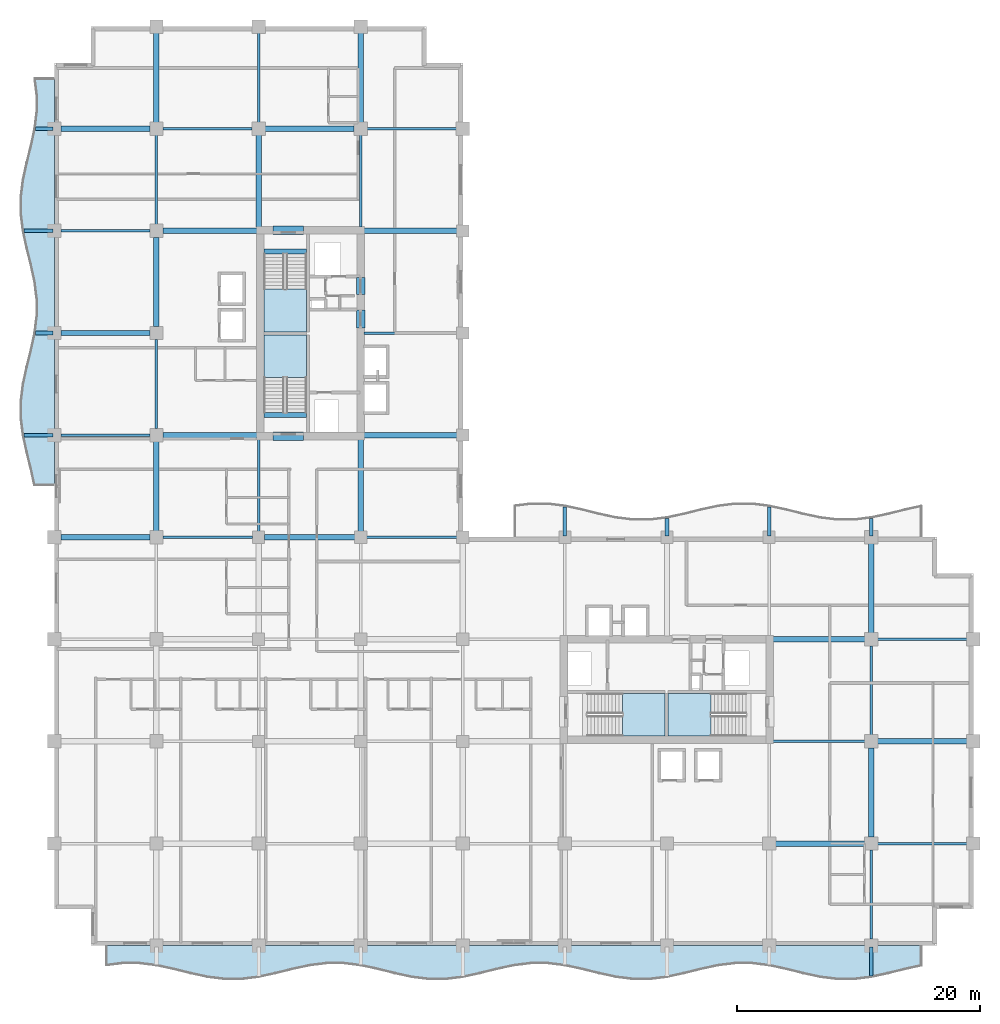
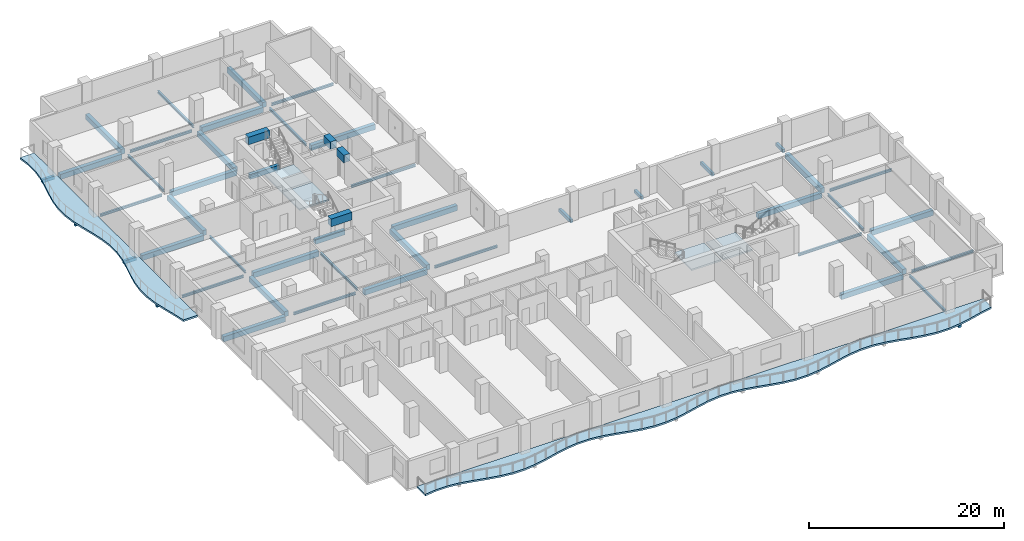
# One storey, part 2 of 15: 52 beams, 6 slabs, 4 elements without a shape of their own.
"""IFC4 building model written with IfcOpenShell, lengths in metres."""

from ifc_helpers import new_model, si_unit, direction, frame, origin, origin_2d, place, context, subcontext, project, spatial, polyline, rectangle, i_section, outline, extrude, material, layer, layer_set, material_profile, profile_set, type_object, element, aggregate, save


model = new_model("IFC4")

# Units and contexts
model_context = context("Model", 3, precision=1e-05, world=origin(), true_north=direction((0.0, 1.0)))
body_context = subcontext(model_context, "Body", "Model", "MODEL_VIEW")
ifc_project = project(units=[si_unit("LENGTHUNIT", "METRE"), si_unit("AREAUNIT", "SQUARE_METRE"), si_unit("VOLUMEUNIT", "CUBIC_METRE"), si_unit("PLANEANGLEUNIT", "RADIAN"), si_unit("MASSUNIT", "GRAM", prefix="KILO")], contexts=[model_context])

# Site, building, storey
site_placement = place(None, origin())
site = spatial("IfcSite", under=ifc_project, at=site_placement, CompositionType="ELEMENT")
building_placement = place(site_placement, origin())
building = spatial("IfcBuilding", under=site, at=building_placement, Name="Koriwani Terraces Tower", CompositionType="ELEMENT")
storey_placement = place(building_placement, frame((0.0, 0.0, 193.89990234375)))
storey = spatial("IfcBuildingStorey", under=building, at=storey_placement, Name="L47", CompositionType="ELEMENT", Elevation=193.89990234375)

# Beams
ifc_material_1 = material(Name="Concrete C40/50", Category="concrete")
ifc_material_profile_1 = material_profile(ifc_material_1, rectangle(XDim=0.300048828125, YDim=0.39990234375, at=origin_2d()), Name="Concrete C40/50", Category="LoadBearing")
ifc_profile_set_1 = profile_set([ifc_material_profile_1], Name="Concrete C40/50")
beam_type_1 = type_object("IfcBeamType", Name="BEAM_RC_BALCONY_RIB_300X400", PredefinedType="JOIST", material=ifc_profile_set_1)
for number, where, z_axis, x_axis, name in (
    (1, (67.199951171875, -2.502197265625, -0.429931640625), (0.0, 1.0, 0.0), (-1.0, 0.0, 0.0), "L47 Balcony Bracket Rib S-8"),
    (2, (-2.502197265625, 42.0, -0.429931640625), (1.0, 0.0, 0.0), (0.0, 1.0, 0.0), "L47 Balcony Bracket Rib W-1"),
):
    element("IfcBeam", number, at=place(storey_placement, frame(where, z_axis=z_axis, x_axis=x_axis)), inside=storey, type_object=beam_type_1, Name=name, PredefinedType="JOIST", context=body_context, shape_type="SweptSolid", body=[
        extrude(rectangle(XDim=0.300048828125, YDim=0.39990234375, at=origin_2d()), origin(), (0.0, 0.0, 1.0), 2.402099609375),
    ])
beam_1_placement = place(storey_placement, frame((-1.547607421875, 50.39990234375, -0.429931640625), z_axis=(1.0, 0.0, 0.0), x_axis=(0.0, 1.0, 0.0)))
element("IfcBeam", 3, at=beam_1_placement, inside=storey, type_object=beam_type_1, Name="L47 Balcony Bracket Rib W-2", PredefinedType="JOIST", context=body_context, shape_type="SweptSolid", body=[
    extrude(rectangle(XDim=0.300048828125, YDim=0.39990234375, at=origin_2d()), origin(), (0.0, 0.0, 1.0), 1.447509765625),
])
beam_2_placement = place(storey_placement, frame((-2.502197265625, 58.800048828125, -0.429931640625), z_axis=(1.0, 0.0, 0.0), x_axis=(0.0, 1.0, 0.0)))
element("IfcBeam", 4, at=beam_2_placement, inside=storey, type_object=beam_type_1, Name="L47 Balcony Bracket Rib W-3", PredefinedType="JOIST", context=body_context, shape_type="SweptSolid", body=[
    extrude(rectangle(XDim=0.300048828125, YDim=0.39990234375, at=origin_2d()), origin(), (0.0, 0.0, 1.0), 2.402099609375),
])
beam_3_placement = place(storey_placement, frame((-1.547607421875, 67.199951171875, -0.429931640625), z_axis=(1.0, 0.0, 0.0), x_axis=(0.0, 1.0, 0.0)))
element("IfcBeam", 5, at=beam_3_placement, inside=storey, type_object=beam_type_1, Name="L47 Balcony Bracket Rib W-4", PredefinedType="JOIST", context=body_context, shape_type="SweptSolid", body=[
    extrude(rectangle(XDim=0.300048828125, YDim=0.39990234375, at=origin_2d()), origin(), (0.0, 0.0, 1.0), 1.447509765625),
])
beam_4_placement = place(storey_placement, frame((42.0, 33.699951171875, -0.429931640625), z_axis=(0.0, 1.0, 0.0), x_axis=(-1.0, 0.0, 0.0)))
element("IfcBeam", 6, at=beam_4_placement, inside=storey, type_object=beam_type_1, Name="L47 Balcony Bracket Rib NE-1", PredefinedType="JOIST", context=body_context, shape_type="SweptSolid", body=[
    extrude(rectangle(XDim=0.300048828125, YDim=0.39990234375, at=origin_2d()), origin(), (0.0, 0.0, 1.0), 2.40234375),
])
beam_5_placement = place(storey_placement, frame((50.39990234375, 33.699951171875, -0.429931640625), z_axis=(0.0, 1.0, 0.0), x_axis=(-1.0, 0.0, 0.0)))
element("IfcBeam", 7, at=beam_5_placement, inside=storey, type_object=beam_type_1, Name="L47 Balcony Bracket Rib NE-2", PredefinedType="JOIST", context=body_context, shape_type="SweptSolid", body=[
    extrude(rectangle(XDim=0.300048828125, YDim=0.39990234375, at=origin_2d()), origin(), (0.0, 0.0, 1.0), 1.44775390625),
])
beam_6_placement = place(storey_placement, frame((58.800048828125, 33.699951171875, -0.429931640625), z_axis=(0.0, 1.0, 0.0), x_axis=(-1.0, 0.0, 0.0)))
element("IfcBeam", 8, at=beam_6_placement, inside=storey, type_object=beam_type_1, Name="L47 Balcony Bracket Rib NE-3", PredefinedType="JOIST", context=body_context, shape_type="SweptSolid", body=[
    extrude(rectangle(XDim=0.300048828125, YDim=0.39990234375, at=origin_2d()), origin(), (0.0, 0.0, 1.0), 2.40234375),
])
beam_7_placement = place(storey_placement, frame((67.199951171875, 33.699951171875, -0.429931640625), z_axis=(0.0, 1.0, 0.0), x_axis=(-1.0, 0.0, 0.0)))
element("IfcBeam", 9, at=beam_7_placement, inside=storey, type_object=beam_type_1, Name="L47 Balcony Bracket Rib NE-4", PredefinedType="JOIST", context=body_context, shape_type="SweptSolid", body=[
    extrude(rectangle(XDim=0.300048828125, YDim=0.39990234375, at=origin_2d()), origin(), (0.0, 0.0, 1.0), 1.44775390625),
])
ifc_material_2 = material(Name="Concrete C60/75", Category="concrete")
ifc_material_profile_2 = material_profile(ifc_material_2, rectangle(XDim=0.699951171875, YDim=0.949951171875, at=origin_2d()), Name="Concrete C60/75", Category="LoadBearing")
ifc_profile_set_2 = profile_set([ifc_material_profile_2], Name="Concrete C60/75")
beam_type_2 = type_object("IfcBeamType", Name="BEAM_RC_COUPLING_700X950", PredefinedType="LINTEL", material=ifc_profile_set_2)
beam_8_placement = place(storey_placement, frame((25.199951171875, 50.800048828125, 2.9951171875), z_axis=(0.0, 1.0, 0.0), x_axis=(-1.0, 0.0, 0.0)))
element("IfcBeam", 10, at=beam_8_placement, inside=storey, type_object=beam_type_2, Name="L47 Core Coupling Lintel Beam WE1", PredefinedType="LINTEL", context=body_context, shape_type="SweptSolid", body=[
    extrude(rectangle(XDim=0.699951171875, YDim=0.949951171875, at=origin_2d()), origin(), (0.0, 0.0, 1.0), 1.47998046875),
])
beam_9_placement = place(storey_placement, frame((25.199951171875, 53.550048828125, 2.9951171875), z_axis=(0.0, 1.0, 0.0), x_axis=(-1.0, 0.0, 0.0)))
element("IfcBeam", 11, at=beam_9_placement, inside=storey, type_object=beam_type_2, Name="L47 Core Coupling Lintel Beam WE2", PredefinedType="LINTEL", context=body_context, shape_type="SweptSolid", body=[
    extrude(rectangle(XDim=0.699951171875, YDim=0.949951171875, at=origin_2d()), origin(), (0.0, 0.0, 1.0), 1.39990234375),
])
for number, where, z_axis, x_axis, name in (
    (12, (18.0, 41.89990234375, 2.9951171875), (1.0, 0.0, 0.0), (0.0, 1.0, 0.0), "L47 Core Coupling Lintel Beam WS"),
    (13, (18.0, 58.85009765625, 2.9951171875), (1.0, 0.0, 0.0), (0.0, 1.0, 0.0), "L47 Core Coupling Lintel Beam WN"),
):
    element("IfcBeam", number, at=place(storey_placement, frame(where, z_axis=z_axis, x_axis=x_axis)), inside=storey, type_object=beam_type_2, Name=name, PredefinedType="LINTEL", context=body_context, shape_type="SweptSolid", body=[
        extrude(rectangle(XDim=0.699951171875, YDim=0.949951171875, at=origin_2d()), origin(), (0.0, 0.0, 1.0), 2.5),
    ])
ifc_material_profile_3 = material_profile(ifc_material_1, rectangle(XDim=0.39990234375, YDim=0.60009765625, at=origin_2d()), Name="Concrete C40/50", Category="LoadBearing")
ifc_profile_set_3 = profile_set([ifc_material_profile_3], Name="Concrete C40/50")
beam_type_3 = type_object("IfcBeamType", Name="BEAM_RC_GRID_400X600", PredefinedType="BEAM", material=ifc_profile_set_3)
for number, where, z_axis, x_axis, name in (
    (14, (17.25, 43.655029296875, -0.2998046875), (1.0, 0.0, 0.0), (0.0, 1.0, 0.0), "L47 Stairwell Header Trimmer Beam ST-W1"),
    (15, (17.25, 57.094970703125, -0.2998046875), (1.0, 0.0, 0.0), (0.0, 1.0, 0.0), "L47 Stairwell Header Trimmer Beam ST-W2"),
):
    element("IfcBeam", number, at=place(storey_placement, frame(where, z_axis=z_axis, x_axis=x_axis)), inside=storey, type_object=beam_type_3, Name=name, PredefinedType="BEAM", context=body_context, shape_type="SweptSolid", body=[
        extrude(rectangle(XDim=0.39990234375, YDim=0.60009765625, at=origin_2d()), origin(), (0.0, 0.0, 1.0), 3.5),
    ])
ifc_material_3 = material(Name="Concrete C50/60", Category="concrete")
ifc_material_profile_4 = material_profile(ifc_material_3, rectangle(XDim=0.449951171875, YDim=0.64990234375, at=origin_2d()), Name="Concrete C50/60", Category="LoadBearing")
ifc_profile_set_4 = profile_set([ifc_material_profile_4], Name="Concrete C50/60")
beam_type_4 = type_object("IfcBeamType", Name="BEAM_RC_GRID_450X650", PredefinedType="BEAM", material=ifc_profile_set_4)
beam_10_placement = place(storey_placement, frame((59.330078125, 8.39990234375, -0.554931640625), z_axis=(1.0, 0.0, 0.0), x_axis=(0.0, 1.0, 0.0)))
element("IfcBeam", 16, at=beam_10_placement, inside=storey, type_object=beam_type_4, Name="L47 Grid Beam B (58.8-67.2m)", PredefinedType="BEAM", context=body_context, shape_type="SweptSolid", body=[
    extrude(rectangle(XDim=0.449951171875, YDim=0.64990234375, at=origin_2d()), origin(), (0.0, 0.0, 1.0), 7.33984375),
])
beam_11_placement = place(storey_placement, frame((67.72998046875, 16.800048828125, -0.554931640625), z_axis=(1.0, 0.0, 0.0), x_axis=(0.0, 1.0, 0.0)))
element("IfcBeam", 17, at=beam_11_placement, inside=storey, type_object=beam_type_4, Name="L47 Grid Beam C (67.2-75.6m)", PredefinedType="BEAM", context=body_context, shape_type="SweptSolid", body=[
    extrude(rectangle(XDim=0.449951171875, YDim=0.64990234375, at=origin_2d()), origin(), (0.0, 0.0, 1.0), 7.340087890625),
])
beam_12_placement = place(storey_placement, frame((59.1298828125, 25.199951171875, -0.554931640625), z_axis=(1.0, 0.0, 0.0), x_axis=(0.0, 1.0, 0.0)))
element("IfcBeam", 18, at=beam_12_placement, inside=storey, type_object=beam_type_4, Name="L47 Grid Beam D (58.8-67.2m)", PredefinedType="BEAM", context=body_context, shape_type="SweptSolid", body=[
    extrude(rectangle(XDim=0.449951171875, YDim=0.64990234375, at=origin_2d()), origin(), (0.0, 0.0, 1.0), 7.5400390625),
])
beam_13_placement = place(storey_placement, frame((0.530029296875, 33.60009765625, -0.554931640625), z_axis=(1.0, 0.0, 0.0), x_axis=(0.0, 1.0, 0.0)))
element("IfcBeam", 19, at=beam_13_placement, inside=storey, type_object=beam_type_4, Name="L47 Grid Beam E (0.0-8.4m)", PredefinedType="BEAM", context=body_context, shape_type="SweptSolid", body=[
    extrude(rectangle(XDim=0.449951171875, YDim=0.64990234375, at=origin_2d()), origin(), (0.0, 0.0, 1.0), 7.340087890625),
])
beam_14_placement = place(storey_placement, frame((17.280029296875, 33.60009765625, -0.554931640625), z_axis=(1.0, 0.0, 0.0), x_axis=(0.0, 1.0, 0.0)))
element("IfcBeam", 20, at=beam_14_placement, inside=storey, type_object=beam_type_4, Name="L47 Grid Beam E (16.8-25.2m)", PredefinedType="BEAM", context=body_context, shape_type="SweptSolid", body=[
    extrude(rectangle(XDim=0.449951171875, YDim=0.64990234375, at=origin_2d()), origin(), (0.0, 0.0, 1.0), 7.43994140625),
])
beam_15_placement = place(storey_placement, frame((8.929931640625, 42.0, -0.554931640625), z_axis=(1.0, 0.0, 0.0), x_axis=(0.0, 1.0, 0.0)))
element("IfcBeam", 21, at=beam_15_placement, inside=storey, type_object=beam_type_4, Name="L47 Grid Beam F (8.4-16.8m)", PredefinedType="BEAM", context=body_context, shape_type="SweptSolid", body=[
    extrude(rectangle(XDim=0.449951171875, YDim=0.64990234375, at=origin_2d()), origin(), (0.0, 0.0, 1.0), 7.739990234375),
])
beam_16_placement = place(storey_placement, frame((25.47998046875, 42.0, -0.554931640625), z_axis=(1.0, 0.0, 0.0), x_axis=(0.0, 1.0, 0.0)))
element("IfcBeam", 22, at=beam_16_placement, inside=storey, type_object=beam_type_4, Name="L47 Grid Beam F (25.2-33.6m)", PredefinedType="BEAM", context=body_context, shape_type="SweptSolid", body=[
    extrude(rectangle(XDim=0.449951171875, YDim=0.64990234375, at=origin_2d()), origin(), (0.0, 0.0, 1.0), 7.64013671875),
])
beam_17_placement = place(storey_placement, frame((0.530029296875, 50.39990234375, -0.554931640625), z_axis=(1.0, 0.0, 0.0), x_axis=(0.0, 1.0, 0.0)))
element("IfcBeam", 23, at=beam_17_placement, inside=storey, type_object=beam_type_4, Name="L47 Grid Beam G (0.0-8.4m)", PredefinedType="BEAM", context=body_context, shape_type="SweptSolid", body=[
    extrude(rectangle(XDim=0.449951171875, YDim=0.64990234375, at=origin_2d()), origin(), (0.0, 0.0, 1.0), 7.340087890625),
])
beam_18_placement = place(storey_placement, frame((8.929931640625, 58.800048828125, -0.554931640625), z_axis=(1.0, 0.0, 0.0), x_axis=(0.0, 1.0, 0.0)))
element("IfcBeam", 24, at=beam_18_placement, inside=storey, type_object=beam_type_4, Name="L47 Grid Beam H (8.4-16.8m)", PredefinedType="BEAM", context=body_context, shape_type="SweptSolid", body=[
    extrude(rectangle(XDim=0.449951171875, YDim=0.64990234375, at=origin_2d()), origin(), (0.0, 0.0, 1.0), 7.739990234375),
])
beam_19_placement = place(storey_placement, frame((25.47998046875, 58.800048828125, -0.554931640625), z_axis=(1.0, 0.0, 0.0), x_axis=(0.0, 1.0, 0.0)))
element("IfcBeam", 25, at=beam_19_placement, inside=storey, type_object=beam_type_4, Name="L47 Grid Beam H (25.2-33.6m)", PredefinedType="BEAM", context=body_context, shape_type="SweptSolid", body=[
    extrude(rectangle(XDim=0.449951171875, YDim=0.64990234375, at=origin_2d()), origin(), (0.0, 0.0, 1.0), 7.64013671875),
])
beam_20_placement = place(storey_placement, frame((0.530029296875, 67.199951171875, -0.554931640625), z_axis=(1.0, 0.0, 0.0), x_axis=(0.0, 1.0, 0.0)))
element("IfcBeam", 26, at=beam_20_placement, inside=storey, type_object=beam_type_4, Name="L47 Grid Beam I (0.0-8.4m)", PredefinedType="BEAM", context=body_context, shape_type="SweptSolid", body=[
    extrude(rectangle(XDim=0.449951171875, YDim=0.64990234375, at=origin_2d()), origin(), (0.0, 0.0, 1.0), 7.340087890625),
])
beam_21_placement = place(storey_placement, frame((17.330078125, 67.199951171875, -0.554931640625), z_axis=(1.0, 0.0, 0.0), x_axis=(0.0, 1.0, 0.0)))
element("IfcBeam", 27, at=beam_21_placement, inside=storey, type_object=beam_type_4, Name="L47 Grid Beam I (16.8-25.2m)", PredefinedType="BEAM", context=body_context, shape_type="SweptSolid", body=[
    extrude(rectangle(XDim=0.449951171875, YDim=0.64990234375, at=origin_2d()), origin(), (0.0, 0.0, 1.0), 7.33984375),
])
for number, where, z_axis, x_axis, name in (
    (28, (8.39990234375, 34.1298828125, -0.554931640625), (0.0, 1.0, 0.0), (-1.0, 0.0, 0.0), "L47 Grid Beam 2 (33.6-42.0m)"),
    (29, (8.39990234375, 50.929931640625, -0.554931640625), (0.0, 1.0, 0.0), (-1.0, 0.0, 0.0), "L47 Grid Beam 2 (50.4-58.8m)"),
    (30, (8.39990234375, 67.72998046875, -0.554931640625), (0.0, 1.0, 0.0), (-1.0, 0.0, 0.0), "L47 Grid Beam 2 (67.2-75.6m)"),
):
    element("IfcBeam", number, at=place(storey_placement, frame(where, z_axis=z_axis, x_axis=x_axis)), inside=storey, type_object=beam_type_4, Name=name, PredefinedType="BEAM", context=body_context, shape_type="SweptSolid", body=[
        extrude(rectangle(XDim=0.449951171875, YDim=0.64990234375, at=origin_2d()), origin(), (0.0, 0.0, 1.0), 7.340087890625),
    ])
for number, where, z_axis, x_axis, name in (
    (31, (16.800048828125, 59.1298828125, -0.554931640625), (0.0, 1.0, 0.0), (-1.0, 0.0, 0.0), "L47 Grid Beam 3 (58.8-67.2m)"),
    (32, (25.199951171875, 34.080078125, -0.554931640625), (0.0, 1.0, 0.0), (-1.0, 0.0, 0.0), "L47 Grid Beam 4 (33.6-42.0m)"),
):
    element("IfcBeam", number, at=place(storey_placement, frame(where, z_axis=z_axis, x_axis=x_axis)), inside=storey, type_object=beam_type_4, Name=name, PredefinedType="BEAM", context=body_context, shape_type="SweptSolid", body=[
        extrude(rectangle(XDim=0.449951171875, YDim=0.64990234375, at=origin_2d()), origin(), (0.0, 0.0, 1.0), 7.5400390625),
    ])
for number, where, z_axis, x_axis, name in (
    (33, (25.199951171875, 67.72998046875, -0.554931640625), (0.0, 1.0, 0.0), (-1.0, 0.0, 0.0), "L47 Grid Beam 4 (67.2-75.6m)"),
    (34, (67.199951171875, 8.929931640625, -0.554931640625), (0.0, 1.0, 0.0), (-1.0, 0.0, 0.0), "L47 Grid Beam 9 (8.4-16.8m)"),
    (35, (67.199951171875, 25.72998046875, -0.554931640625), (0.0, 1.0, 0.0), (-1.0, 0.0, 0.0), "L47 Grid Beam 9 (25.2-33.6m)"),
):
    element("IfcBeam", number, at=place(storey_placement, frame(where, z_axis=z_axis, x_axis=x_axis)), inside=storey, type_object=beam_type_4, Name=name, PredefinedType="BEAM", context=body_context, shape_type="SweptSolid", body=[
        extrude(rectangle(XDim=0.449951171875, YDim=0.64990234375, at=origin_2d()), origin(), (0.0, 0.0, 1.0), 7.340087890625),
    ])
ifc_material_4 = material(Name="Steel ASTM A572 Grade 50", Category="steel")
ifc_material_profile_5 = material_profile(ifc_material_4, i_section(OverallWidth=0.205078125, OverallDepth=0.31005859375, WebThickness=0.009521484375, FlangeThickness=0.016357421875, at=origin_2d()), Name="Steel ASTM A572 Grade 50", Category="LoadBearing")
ifc_profile_set_5 = profile_set([ifc_material_profile_5], Name="Steel ASTM A572 Grade 50")
beam_type_5 = type_object("IfcBeamType", Name="STEEL_BEAM_W310X74", PredefinedType="JOIST", material=ifc_profile_set_5)
beam_22_placement = place(storey_placement, frame((67.72998046875, 8.39990234375, -0.385009765625), z_axis=(1.0, 0.0, 0.0), x_axis=(0.0, 1.0, 0.0)))
element("IfcBeam", 36, at=beam_22_placement, inside=storey, type_object=beam_type_5, Name="L47 Grid Beam B (67.2-75.6m)", PredefinedType="JOIST", context=body_context, shape_type="SweptSolid", body=[
    extrude(i_section(OverallWidth=0.205078125, OverallDepth=0.31005859375, WebThickness=0.009521484375, FlangeThickness=0.016357421875, at=origin_2d()), origin(), (0.0, 0.0, 1.0), 7.340087890625),
])
beam_23_placement = place(storey_placement, frame((59.1298828125, 16.800048828125, -0.385009765625), z_axis=(1.0, 0.0, 0.0), x_axis=(0.0, 1.0, 0.0)))
element("IfcBeam", 37, at=beam_23_placement, inside=storey, type_object=beam_type_5, Name="L47 Grid Beam C (58.8-67.2m)", PredefinedType="JOIST", context=body_context, shape_type="SweptSolid", body=[
    extrude(i_section(OverallWidth=0.205078125, OverallDepth=0.31005859375, WebThickness=0.009521484375, FlangeThickness=0.016357421875, at=origin_2d()), origin(), (0.0, 0.0, 1.0), 7.5400390625),
])
beam_24_placement = place(storey_placement, frame((67.72998046875, 25.199951171875, -0.385009765625), z_axis=(1.0, 0.0, 0.0), x_axis=(0.0, 1.0, 0.0)))
element("IfcBeam", 38, at=beam_24_placement, inside=storey, type_object=beam_type_5, Name="L47 Grid Beam D (67.2-75.6m)", PredefinedType="JOIST", context=body_context, shape_type="SweptSolid", body=[
    extrude(i_section(OverallWidth=0.205078125, OverallDepth=0.31005859375, WebThickness=0.009521484375, FlangeThickness=0.016357421875, at=origin_2d()), origin(), (0.0, 0.0, 1.0), 7.340087890625),
])
beam_25_placement = place(storey_placement, frame((8.929931640625, 33.60009765625, -0.385009765625), z_axis=(1.0, 0.0, 0.0), x_axis=(0.0, 1.0, 0.0)))
element("IfcBeam", 39, at=beam_25_placement, inside=storey, type_object=beam_type_5, Name="L47 Grid Beam E (8.4-16.8m)", PredefinedType="JOIST", context=body_context, shape_type="SweptSolid", body=[
    extrude(i_section(OverallWidth=0.205078125, OverallDepth=0.31005859375, WebThickness=0.009521484375, FlangeThickness=0.016357421875, at=origin_2d()), origin(), (0.0, 0.0, 1.0), 7.39013671875),
])
beam_26_placement = place(storey_placement, frame((25.679931640625, 33.60009765625, -0.385009765625), z_axis=(1.0, 0.0, 0.0), x_axis=(0.0, 1.0, 0.0)))
element("IfcBeam", 40, at=beam_26_placement, inside=storey, type_object=beam_type_5, Name="L47 Grid Beam E (25.2-33.6m)", PredefinedType="JOIST", context=body_context, shape_type="SweptSolid", body=[
    extrude(i_section(OverallWidth=0.205078125, OverallDepth=0.31005859375, WebThickness=0.009521484375, FlangeThickness=0.016357421875, at=origin_2d()), origin(), (0.0, 0.0, 1.0), 7.440185546875),
])
beam_27_placement = place(storey_placement, frame((0.530029296875, 42.0, -0.385009765625), z_axis=(1.0, 0.0, 0.0), x_axis=(0.0, 1.0, 0.0)))
element("IfcBeam", 41, at=beam_27_placement, inside=storey, type_object=beam_type_5, Name="L47 Grid Beam F (0.0-8.4m)", PredefinedType="JOIST", context=body_context, shape_type="SweptSolid", body=[
    extrude(i_section(OverallWidth=0.205078125, OverallDepth=0.31005859375, WebThickness=0.009521484375, FlangeThickness=0.016357421875, at=origin_2d()), origin(), (0.0, 0.0, 1.0), 7.340087890625),
])
beam_28_placement = place(storey_placement, frame((25.47998046875, 50.39990234375, -0.385009765625), z_axis=(1.0, 0.0, 0.0), x_axis=(0.0, 1.0, 0.0)))
element("IfcBeam", 42, at=beam_28_placement, inside=storey, type_object=beam_type_5, Name="L47 Grid Beam G (25.2-33.6m)", PredefinedType="JOIST", context=body_context, shape_type="SweptSolid", body=[
    extrude(i_section(OverallWidth=0.205078125, OverallDepth=0.31005859375, WebThickness=0.009521484375, FlangeThickness=0.016357421875, at=origin_2d()), origin(), (0.0, 0.0, 1.0), 7.64013671875),
])
for number, where, z_axis, x_axis, name in (
    (43, (0.530029296875, 58.800048828125, -0.385009765625), (1.0, 0.0, 0.0), (0.0, 1.0, 0.0), "L47 Grid Beam H (0.0-8.4m)"),
    (44, (8.929931640625, 67.199951171875, -0.385009765625), (1.0, 0.0, 0.0), (0.0, 1.0, 0.0), "L47 Grid Beam I (8.4-16.8m)"),
    (45, (25.72998046875, 67.199951171875, -0.385009765625), (1.0, 0.0, 0.0), (0.0, 1.0, 0.0), "L47 Grid Beam I (25.2-33.6m)"),
    (46, (8.39990234375, 42.530029296875, -0.385009765625), (0.0, 1.0, 0.0), (-1.0, 0.0, 0.0), "L47 Grid Beam 2 (42.0-50.4m)"),
):
    element("IfcBeam", number, at=place(storey_placement, frame(where, z_axis=z_axis, x_axis=x_axis)), inside=storey, type_object=beam_type_5, Name=name, PredefinedType="JOIST", context=body_context, shape_type="SweptSolid", body=[
        extrude(i_section(OverallWidth=0.205078125, OverallDepth=0.31005859375, WebThickness=0.009521484375, FlangeThickness=0.016357421875, at=origin_2d()), origin(), (0.0, 0.0, 1.0), 7.340087890625),
    ])
beam_29_placement = place(storey_placement, frame((8.39990234375, 59.330078125, -0.385009765625), z_axis=(0.0, 1.0, 0.0), x_axis=(-1.0, 0.0, 0.0)))
element("IfcBeam", 47, at=beam_29_placement, inside=storey, type_object=beam_type_5, Name="L47 Grid Beam 2 (58.8-67.2m)", PredefinedType="JOIST", context=body_context, shape_type="SweptSolid", body=[
    extrude(i_section(OverallWidth=0.205078125, OverallDepth=0.31005859375, WebThickness=0.009521484375, FlangeThickness=0.016357421875, at=origin_2d()), origin(), (0.0, 0.0, 1.0), 7.33984375),
])
beam_30_placement = place(storey_placement, frame((16.800048828125, 34.080078125, -0.385009765625), z_axis=(0.0, 1.0, 0.0), x_axis=(-1.0, 0.0, 0.0)))
element("IfcBeam", 48, at=beam_30_placement, inside=storey, type_object=beam_type_5, Name="L47 Grid Beam 3 (33.6-42.0m)", PredefinedType="JOIST", context=body_context, shape_type="SweptSolid", body=[
    extrude(i_section(OverallWidth=0.205078125, OverallDepth=0.31005859375, WebThickness=0.009521484375, FlangeThickness=0.016357421875, at=origin_2d()), origin(), (0.0, 0.0, 1.0), 7.5400390625),
])
beam_31_placement = place(storey_placement, frame((16.800048828125, 67.72998046875, -0.385009765625), z_axis=(0.0, 1.0, 0.0), x_axis=(-1.0, 0.0, 0.0)))
element("IfcBeam", 49, at=beam_31_placement, inside=storey, type_object=beam_type_5, Name="L47 Grid Beam 3 (67.2-75.6m)", PredefinedType="JOIST", context=body_context, shape_type="SweptSolid", body=[
    extrude(i_section(OverallWidth=0.205078125, OverallDepth=0.31005859375, WebThickness=0.009521484375, FlangeThickness=0.016357421875, at=origin_2d()), origin(), (0.0, 0.0, 1.0), 7.340087890625),
])
beam_32_placement = place(storey_placement, frame((25.199951171875, 59.1298828125, -0.385009765625), z_axis=(0.0, 1.0, 0.0), x_axis=(-1.0, 0.0, 0.0)))
element("IfcBeam", 50, at=beam_32_placement, inside=storey, type_object=beam_type_5, Name="L47 Grid Beam 4 (58.8-67.2m)", PredefinedType="JOIST", context=body_context, shape_type="SweptSolid", body=[
    extrude(i_section(OverallWidth=0.205078125, OverallDepth=0.31005859375, WebThickness=0.009521484375, FlangeThickness=0.016357421875, at=origin_2d()), origin(), (0.0, 0.0, 1.0), 7.5400390625),
])
beam_33_placement = place(storey_placement, frame((67.199951171875, 0.530029296875, -0.385009765625), z_axis=(0.0, 1.0, 0.0), x_axis=(-1.0, 0.0, 0.0)))
element("IfcBeam", 51, at=beam_33_placement, inside=storey, type_object=beam_type_5, Name="L47 Grid Beam 9 (0.0-8.4m)", PredefinedType="JOIST", context=body_context, shape_type="SweptSolid", body=[
    extrude(i_section(OverallWidth=0.205078125, OverallDepth=0.31005859375, WebThickness=0.009521484375, FlangeThickness=0.016357421875, at=origin_2d()), origin(), (0.0, 0.0, 1.0), 7.340087890625),
])
beam_34_placement = place(storey_placement, frame((67.199951171875, 17.330078125, -0.385009765625), z_axis=(0.0, 1.0, 0.0), x_axis=(-1.0, 0.0, 0.0)))
element("IfcBeam", 52, at=beam_34_placement, inside=storey, type_object=beam_type_5, Name="L47 Grid Beam 9 (16.8-25.2m)", PredefinedType="JOIST", context=body_context, shape_type="SweptSolid", body=[
    extrude(i_section(OverallWidth=0.205078125, OverallDepth=0.31005859375, WebThickness=0.009521484375, FlangeThickness=0.016357421875, at=origin_2d()), origin(), (0.0, 0.0, 1.0), 7.33984375),
])

# Slabs
ifc_layer_1 = layer(ifc_material_1, 0.219970703125, Name="Concrete C40/50")
ifc_layer_set_1 = layer_set([ifc_layer_1], Name="Concrete C40/50")
slab_type_1 = type_object("IfcSlabType", Name="SLAB_BALCONY_220", PredefinedType="FLOOR", material=ifc_layer_set_1)
slab_1_placement = place(storey_placement, frame((0.0, 0.0, -0.219970703125)))
element("IfcSlab", 53, at=slab_1_placement, inside=storey, type_object=slab_type_1, Name="L47 Quilted Circular-Arc Balcony (S)", PredefinedType="FLOOR", context=body_context, shape_type="SweptSolid", body=[
    extrude(outline(polyline([(4.199951171875, 0.0), (5.60009765625, 0.0), (7.0, 0.0), (8.39990234375, 0.0), (9.800048828125, 0.0), (11.199951171875, 0.0), (12.60009765625, 0.0), (14.0, 0.0), (15.39990234375, 0.0), (16.800048828125, 0.0), (18.199951171875, 0.0), (19.60009765625, 0.0), (21.0, 0.0), (22.39990234375, 0.0), (23.800048828125, 0.0), (25.199951171875, 0.0), (26.60009765625, 0.0), (28.0, 0.0), (29.39990234375, 0.0), (30.800048828125, 0.0), (32.199951171875, 0.0), (33.60009765625, 0.0), (35.0, 0.0), (36.39990234375, 0.0), (37.800048828125, 0.0), (39.199951171875, 0.0), (40.60009765625, 0.0), (42.0, 0.0), (43.39990234375, 0.0), (44.800048828125, 0.0), (46.199951171875, 0.0), (47.60009765625, 0.0), (49.0, 0.0), (50.39990234375, 0.0), (51.800048828125, 0.0), (53.199951171875, 0.0), (54.60009765625, 0.0), (56.0, 0.0), (57.39990234375, 0.0), (58.800048828125, 0.0), (60.199951171875, 0.0), (61.60009765625, 0.0), (63.0, 0.0), (64.39990234375, 0.0), (65.800048828125, 0.0), (67.199951171875, 0.0), (68.60009765625, 0.0), (70.0, 0.0), (71.39990234375, 0.0), (71.39990234375, -1.69775390625), (70.0, -2.000244140625), (68.60009765625, -2.349609375), (67.199951171875, -2.65234375), (65.800048828125, -2.826904296875), (64.39990234375, -2.826904296875), (63.0, -2.65234375), (61.60009765625, -2.349609375), (60.199951171875, -2.000244140625), (58.800048828125, -1.69775390625), (57.39990234375, -1.52294921875), (56.0, -1.52294921875), (54.60009765625, -1.69775390625), (53.199951171875, -2.000244140625), (51.800048828125, -2.349609375), (50.39990234375, -2.65234375), (49.0, -2.826904296875), (47.60009765625, -2.826904296875), (46.199951171875, -2.65234375), (44.800048828125, -2.349609375), (43.39990234375, -2.000244140625), (42.0, -1.69775390625), (40.60009765625, -1.52294921875), (39.199951171875, -1.52294921875), (37.800048828125, -1.69775390625), (36.39990234375, -2.000244140625), (35.0, -2.349609375), (33.60009765625, -2.65234375), (32.199951171875, -2.826904296875), (30.800048828125, -2.826904296875), (29.39990234375, -2.65234375), (28.0, -2.349609375), (26.60009765625, -2.000244140625), (25.199951171875, -1.69775390625), (23.800048828125, -1.52294921875), (22.39990234375, -1.52294921875), (21.0, -1.69775390625), (19.60009765625, -2.000244140625), (18.199951171875, -2.349609375), (16.800048828125, -2.65234375), (15.39990234375, -2.826904296875), (14.0, -2.826904296875), (12.60009765625, -2.65234375), (11.199951171875, -2.349609375), (9.800048828125, -2.000244140625), (8.39990234375, -1.69775390625), (7.0, -1.52294921875), (5.60009765625, -1.52294921875), (4.199951171875, -1.69775390625), (4.199951171875, 0.0)])), origin(), (0.0, 0.0, 1.0), 0.219970703125),
])
slab_2_placement = place(storey_placement, frame((0.0, 0.0, -0.219970703125)))
element("IfcSlab", 54, at=slab_2_placement, inside=storey, type_object=slab_type_1, Name="L47 Quilted Circular-Arc Balcony (W)", PredefinedType="FLOOR", context=body_context, shape_type="SweptSolid", body=[
    extrude(outline(polyline([(0.0, 37.800048828125), (0.0, 39.199951171875), (0.0, 40.60009765625), (0.0, 42.0), (0.0, 43.39990234375), (0.0, 44.800048828125), (0.0, 46.199951171875), (0.0, 47.60009765625), (0.0, 49.0), (0.0, 50.39990234375), (0.0, 51.800048828125), (0.0, 53.199951171875), (0.0, 54.60009765625), (0.0, 56.0), (0.0, 57.39990234375), (0.0, 58.800048828125), (0.0, 60.199951171875), (0.0, 61.60009765625), (0.0, 63.0), (0.0, 64.39990234375), (0.0, 65.800048828125), (0.0, 67.199951171875), (0.0, 68.60009765625), (0.0, 70.0), (0.0, 71.39990234375), (-1.69775390625, 71.39990234375), (-1.52294921875, 70.0), (-1.52294921875, 68.60009765625), (-1.69775390625, 67.199951171875), (-2.000244140625, 65.800048828125), (-2.349609375, 64.39990234375), (-2.65234375, 63.0), (-2.826904296875, 61.60009765625), (-2.826904296875, 60.199951171875), (-2.65234375, 58.800048828125), (-2.349609375, 57.39990234375), (-2.000244140625, 56.0), (-1.69775390625, 54.60009765625), (-1.52294921875, 53.199951171875), (-1.52294921875, 51.800048828125), (-1.69775390625, 50.39990234375), (-2.000244140625, 49.0), (-2.349609375, 47.60009765625), (-2.65234375, 46.199951171875), (-2.826904296875, 44.800048828125), (-2.826904296875, 43.39990234375), (-2.65234375, 42.0), (-2.349609375, 40.60009765625), (-2.000244140625, 39.199951171875), (-1.69775390625, 37.800048828125), (0.0, 37.800048828125)])), origin(), (0.0, 0.0, 1.0), 0.219970703125),
])

# Stair, slab
stair_type = type_object("IfcStairType", Name="STAIR_CORE_DOGLEG_1650", PredefinedType="TWO_STRAIGHT_RUN_STAIR", material=ifc_material_1)
stair_1_placement = place(storey_placement, origin())
stair_1 = element("IfcStair", 55, at=stair_1_placement, inside=storey, type_object=stair_type, Name="L47 West Core Exit Stair 1", PredefinedType="HALF_TURN_STAIR")
ifc_layer_2 = layer(ifc_material_1, 0.199951171875, Name="Concrete C40/50")
ifc_layer_set_2 = layer_set([ifc_layer_2], Name="Concrete C40/50")
slab_type_2 = type_object("IfcSlabType", Name="SLAB_STAIR_LANDING_200", PredefinedType="LANDING", material=ifc_layer_set_2)
slab_3_placement = place(storey_placement, frame((0.0, 0.0, 1.650146484375)))
slab_3 = element("IfcSlab", 56, at=slab_3_placement, type_object=slab_type_2, Name="ST-W1 landing 1", PredefinedType="LANDING", context=body_context, shape_type="SweptSolid", body=[
    extrude(outline(polyline([(20.75, 46.75), (20.75, 50.25), (17.25, 50.25), (17.25, 46.75), (20.75, 46.75)])), origin(), (0.0, 0.0, 1.0), 0.199951171875),
])
aggregate(stair_1, [slab_3])

stair_2_placement = place(storey_placement, origin())
stair_2 = element("IfcStair", 57, at=stair_2_placement, inside=storey, type_object=stair_type, Name="L47 West Core Exit Stair 2", PredefinedType="HALF_TURN_STAIR")
slab_4_placement = place(storey_placement, frame((0.0, 0.0, 1.650146484375)))
slab_4 = element("IfcSlab", 58, at=slab_4_placement, type_object=slab_type_2, Name="ST-W2 landing 1", PredefinedType="LANDING", context=body_context, shape_type="SweptSolid", body=[
    extrude(outline(polyline([(17.25, 54.0), (17.25, 50.5), (20.75, 50.5), (20.75, 54.0), (17.25, 54.0)])), origin(), (0.0, 0.0, 1.0), 0.199951171875),
])
aggregate(stair_2, [slab_4])

stair_3_placement = place(storey_placement, origin())
stair_3 = element("IfcStair", 59, at=stair_3_placement, inside=storey, type_object=stair_type, Name="L47 East Core Exit Stair 1", PredefinedType="HALF_TURN_STAIR")
slab_5_placement = place(storey_placement, frame((0.0, 0.0, 1.650146484375)))
slab_5 = element("IfcSlab", 60, at=slab_5_placement, type_object=slab_type_2, Name="ST-E1 landing 1", PredefinedType="LANDING", context=body_context, shape_type="SweptSolid", body=[
    extrude(outline(polyline([(46.75, 17.25), (50.25, 17.25), (50.25, 20.75), (46.75, 20.75), (46.75, 17.25)])), origin(), (0.0, 0.0, 1.0), 0.199951171875),
])
aggregate(stair_3, [slab_5])

stair_4_placement = place(storey_placement, origin())
stair_4 = element("IfcStair", 61, at=stair_4_placement, inside=storey, type_object=stair_type, Name="L47 East Core Exit Stair 2", PredefinedType="HALF_TURN_STAIR")
slab_6_placement = place(storey_placement, frame((0.0, 0.0, 1.650146484375)))
slab_6 = element("IfcSlab", 62, at=slab_6_placement, type_object=slab_type_2, Name="ST-E2 landing 1", PredefinedType="LANDING", context=body_context, shape_type="SweptSolid", body=[
    extrude(outline(polyline([(54.0, 20.75), (50.5, 20.75), (50.5, 17.25), (54.0, 17.25), (54.0, 20.75)])), origin(), (0.0, 0.0, 1.0), 0.199951171875),
])
aggregate(stair_4, [slab_6])

save(model, "model.ifc")
